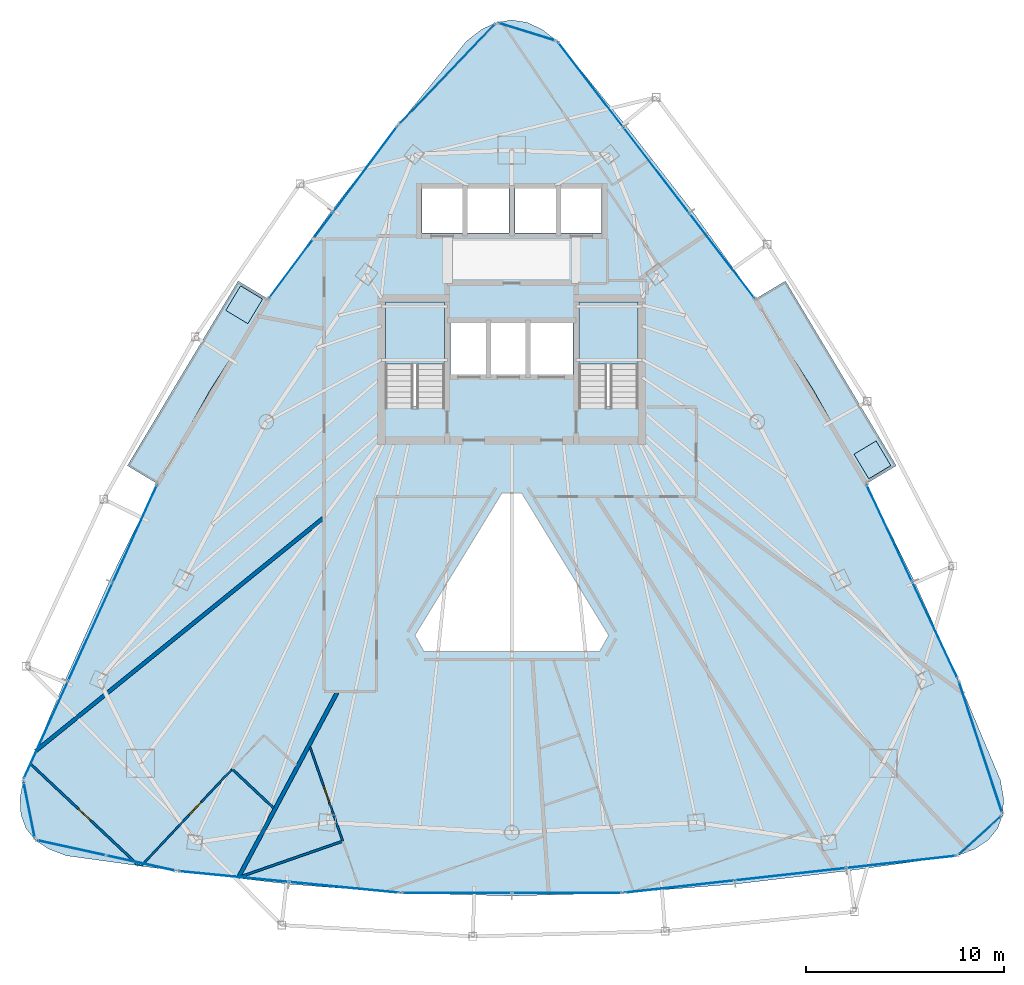
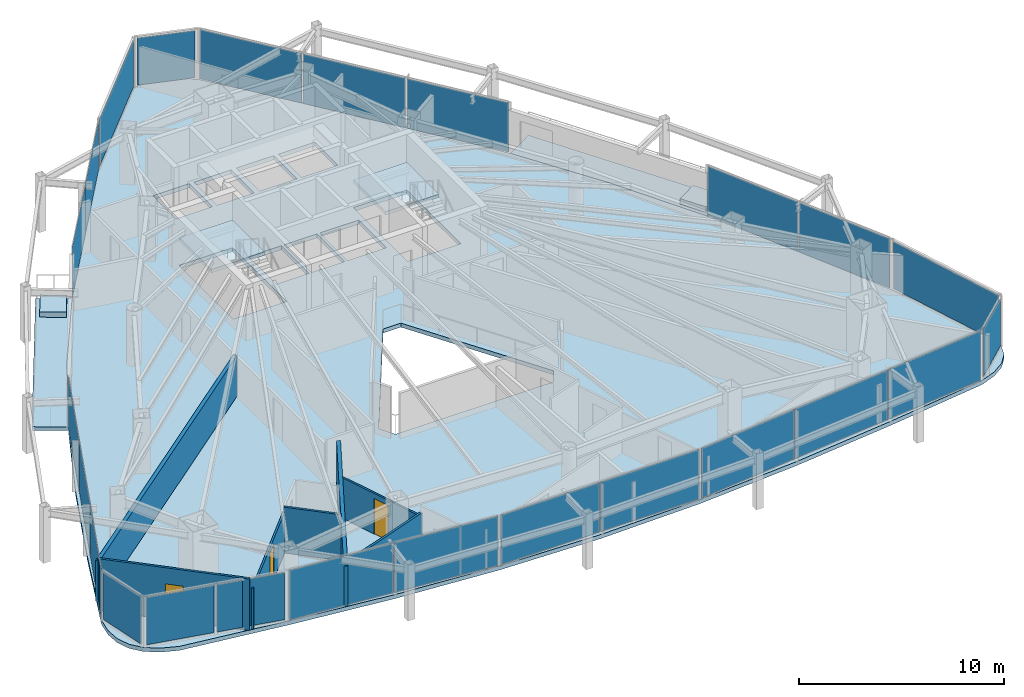
# One storey, part 23 of 29: 24 plates, 7 slabs, 7 walls, 3 doors, 3 openings, 15 elements without a shape of their own.
"""IFC4 building model written with IfcOpenShell, lengths in metres."""

from ifc_helpers import new_model, si_unit, direction, frame, frame_2d, origin, origin_2d, place, context, subcontext, project, spatial, polyline, rectangle, outline, extrude, material, layer, layer_set, type_object, element, fill, aggregate, save


model = new_model("IFC4")

# Units and contexts
model_context = context("Model", 3, precision=1e-05, world=origin(), true_north=direction((0.0, 1.0)))
body_context = subcontext(model_context, "Body", "Model", "MODEL_VIEW")
ifc_project = project(units=[si_unit("LENGTHUNIT", "METRE"), si_unit("AREAUNIT", "SQUARE_METRE"), si_unit("VOLUMEUNIT", "CUBIC_METRE"), si_unit("PLANEANGLEUNIT", "RADIAN"), si_unit("MASSUNIT", "GRAM", prefix="KILO")], contexts=[model_context])

# Site, building, storey
site_placement = place(None, origin())
site = spatial("IfcSite", under=ifc_project, at=site_placement, CompositionType="ELEMENT")
building_placement = place(site_placement, origin())
building = spatial("IfcBuilding", under=site, at=building_placement, Name="Orvanel Arch Residences", CompositionType="ELEMENT")
storey_placement = place(building_placement, frame((0.0, 0.0, 163.85009765625)))
storey = spatial("IfcBuildingStorey", under=building, at=storey_placement, Name="L46", CompositionType="ELEMENT", Elevation=163.85009765625)

# Curtain wall, plates
ifc_material_1 = material(Name="Bronze-anodised aluminium AA6063-T6", Category="aluminium")
ifc_layer_1 = layer(ifc_material_1, 0.179931640625)
ifc_layer_set_1 = layer_set([ifc_layer_1], Name="Bronze-anodised aluminium AA6063-T6")
curtain_wall_type_1 = type_object("IfcCurtainWallType", Name="CW3-MID-SYS", PredefinedType="NOTDEFINED", material=ifc_layer_set_1)
curtain_wall_1_placement = place(storey_placement, origin())
curtain_wall_1 = element("IfcCurtainWall", 1, at=curtain_wall_1_placement, inside=storey, type_object=curtain_wall_type_1, Name="L46 CW3-MID-SYS Unitised Curtain Wall", PredefinedType="NOTDEFINED")
ifc_material_2 = material(Name="Double-glazed solar-control low-E safety glass", Category="glass")
ifc_layer_2 = layer(ifc_material_2, 0.028076171875)
ifc_layer_set_2 = layer_set([ifc_layer_2], Name="Double-glazed solar-control low-E safety glass")
plate_type_1 = type_object("IfcPlateType", Name="PNL-GLZ-28", PredefinedType="CURTAIN_PANEL", material=ifc_layer_set_2)
plate_1_placement = place(storey_placement, frame((25.57177734375, 40.421875, 0.059814453125), z_axis=(0.0, 0.0, 1.0), x_axis=(-0.598064221794, -0.801448180864, 0.0)))
plate_1 = element("IfcPlate", 2, at=plate_1_placement, type_object=plate_type_1, Name="CW-S3 panel 1.1", PredefinedType="CURTAIN_PANEL", context=body_context, shape_type="SweptSolid", body=[
    extrude(rectangle(XDim=5.355224609375, YDim=0.028076171875, at=origin_2d()), origin(), (0.0, 0.0, 1.0), 2.93994140625),
])
plate_2_placement = place(storey_placement, frame((22.3271484375, 36.073974609375, 0.059814453125), z_axis=(0.0, 0.0, 1.0), x_axis=(-0.598064221794, -0.801448180864, 0.0)))
plate_2 = element("IfcPlate", 3, at=plate_2_placement, type_object=plate_type_1, Name="CW-S3 panel 2.1", PredefinedType="CURTAIN_PANEL", context=body_context, shape_type="SweptSolid", body=[
    extrude(rectangle(XDim=5.355224609375, YDim=0.028076171875, at=origin_2d()), origin(), (0.0, 0.0, 1.0), 2.93994140625),
])
aggregate(curtain_wall_1, [plate_1, plate_2])

curtain_wall_2_placement = place(storey_placement, origin())
curtain_wall_2 = element("IfcCurtainWall", 4, at=curtain_wall_2_placement, inside=storey, type_object=curtain_wall_type_1, Name="L46 CW3-MID-SYS Unitised Curtain Wall", PredefinedType="NOTDEFINED")
plate_3_placement = place(storey_placement, frame((13.917236328125, 21.977783203125, 0.059814453125), z_axis=(0.0, 0.0, 1.0), x_axis=(-0.412967925551, -0.910745569556, 0.0)))
plate_3 = element("IfcPlate", 5, at=plate_3_placement, type_object=plate_type_1, Name="CW-S3 panel 1.1", PredefinedType="CURTAIN_PANEL", context=body_context, shape_type="SweptSolid", body=[
    extrude(rectangle(XDim=5.3701171875, YDim=0.028076171875, at=origin_2d()), origin(), (0.0, 0.0, 1.0), 2.93994140625),
])
plate_4_placement = place(storey_placement, frame((11.66357421875, 17.007568359375, 0.059814453125), z_axis=(0.0, 0.0, 1.0), x_axis=(-0.412967925551, -0.910745569556, 0.0)))
plate_4 = element("IfcPlate", 6, at=plate_4_placement, type_object=plate_type_1, Name="CW-S3 panel 2.1", PredefinedType="CURTAIN_PANEL", context=body_context, shape_type="SweptSolid", body=[
    extrude(rectangle(XDim=5.405029296875, YDim=0.028076171875, at=origin_2d()), origin(), (0.0, 0.0, 1.0), 2.93994140625),
])
plate_5_placement = place(storey_placement, frame((9.40966796875, 12.037109375, 0.059814453125), z_axis=(0.0, 0.0, 1.0), x_axis=(-0.412967925551, -0.910745569556, 0.0)))
plate_5 = element("IfcPlate", 7, at=plate_5_placement, type_object=plate_type_1, Name="CW-S3 panel 3.1", PredefinedType="CURTAIN_PANEL", context=body_context, shape_type="SweptSolid", body=[
    extrude(rectangle(XDim=5.3701171875, YDim=0.028076171875, at=origin_2d()), origin(), (0.0, 0.0, 1.0), 2.93994140625),
])
aggregate(curtain_wall_2, [plate_3, plate_4, plate_5])

curtain_wall_3_placement = place(storey_placement, origin())
curtain_wall_3 = element("IfcCurtainWall", 8, at=curtain_wall_3_placement, inside=storey, type_object=curtain_wall_type_1, Name="L46 CW3-MID-SYS Unitised Curtain Wall", PredefinedType="NOTDEFINED")
plate_6_placement = place(storey_placement, frame((18.924072265625, 4.617431640625, 0.059814453125), z_axis=(0.0, 0.0, 1.0), x_axis=(0.995256463457, -0.097286031613, 0.0)))
plate_6 = element("IfcPlate", 9, at=plate_6_placement, type_object=plate_type_1, Name="CW-S3 panel 1.1", PredefinedType="CURTAIN_PANEL", context=body_context, shape_type="SweptSolid", body=[
    extrude(rectangle(XDim=5.543212890625, YDim=0.028076171875, at=origin_2d()), origin(), (0.0, 0.0, 1.0), 2.93994140625),
])
plate_7_placement = place(storey_placement, frame((24.5107421875, 4.071533203125, 0.059814453125), z_axis=(0.0, 0.0, 1.0), x_axis=(0.995256463457, -0.097286031613, 0.0)))
plate_7 = element("IfcPlate", 10, at=plate_7_placement, type_object=plate_type_1, Name="CW-S3 panel 2.1", PredefinedType="CURTAIN_PANEL", context=body_context, shape_type="SweptSolid", body=[
    extrude(rectangle(XDim=5.543212890625, YDim=0.028076171875, at=origin_2d()), origin(), (0.0, 0.0, 1.0), 2.93994140625),
])
aggregate(curtain_wall_3, [plate_6, plate_7])

curtain_wall_4_placement = place(storey_placement, origin())
curtain_wall_4 = element("IfcCurtainWall", 11, at=curtain_wall_4_placement, inside=storey, type_object=curtain_wall_type_1, Name="L46 CW3-MID-SYS Unitised Curtain Wall", PredefinedType="NOTDEFINED")
plate_8_placement = place(storey_placement, frame((30.20703125, 3.79296875, 0.059814453125), z_axis=(0.0, 0.0, 1.0), x_axis=(1.0, 0.0, 0.0)))
plate_8 = element("IfcPlate", 12, at=plate_8_placement, type_object=plate_type_1, Name="CW-S3 panel 1.1", PredefinedType="CURTAIN_PANEL", context=body_context, shape_type="SweptSolid", body=[
    extrude(rectangle(XDim=5.51611328125, YDim=0.028076171875, at=origin_2d()), origin(), (0.0, 0.0, 1.0), 2.93994140625),
])
plate_9_placement = place(storey_placement, frame((35.79296875, 3.79296875, 0.059814453125), z_axis=(0.0, 0.0, 1.0), x_axis=(1.0, 0.0, 0.0)))
plate_9 = element("IfcPlate", 13, at=plate_9_placement, type_object=plate_type_1, Name="CW-S3 panel 2.1", PredefinedType="CURTAIN_PANEL", context=body_context, shape_type="SweptSolid", body=[
    extrude(rectangle(XDim=5.51611328125, YDim=0.028076171875, at=origin_2d()), origin(), (0.0, 0.0, 1.0), 2.93994140625),
])
aggregate(curtain_wall_4, [plate_8, plate_9])

curtain_wall_5_placement = place(storey_placement, origin())
curtain_wall_5 = element("IfcCurtainWall", 14, at=curtain_wall_5_placement, inside=storey, type_object=curtain_wall_type_1, Name="L46 CW3-MID-SYS Unitised Curtain Wall", PredefinedType="NOTDEFINED")
plate_10_placement = place(storey_placement, frame((41.492431640625, 4.110107421875, 0.059814453125), z_axis=(0.0, 0.0, 1.0), x_axis=(0.993864337228, 0.11060596361, 0.0)))
plate_10 = element("IfcPlate", 15, at=plate_10_placement, type_object=plate_type_1, Name="CW-S3 panel 1.1", PredefinedType="CURTAIN_PANEL", context=body_context, shape_type="SweptSolid", body=[
    extrude(rectangle(XDim=5.557861328125, YDim=0.028076171875, at=origin_2d()), origin(), (0.0, 0.0, 1.0), 2.93994140625),
])
plate_11_placement = place(storey_placement, frame((47.10302734375, 4.734619140625, 0.059814453125), z_axis=(0.0, 0.0, 1.0), x_axis=(0.993864337228, 0.11060596361, 0.0)))
plate_11 = element("IfcPlate", 16, at=plate_11_placement, type_object=plate_type_1, Name="CW-S3 panel 2.1", PredefinedType="CURTAIN_PANEL", context=body_context, shape_type="SweptSolid", body=[
    extrude(rectangle(XDim=5.5927734375, YDim=0.028076171875, at=origin_2d()), origin(), (0.0, 0.0, 1.0), 2.93994140625),
])
plate_12_placement = place(storey_placement, frame((52.713623046875, 5.35888671875, 0.059814453125), z_axis=(0.0, 0.0, 1.0), x_axis=(0.993864337228, 0.11060596361, 0.0)))
plate_12 = element("IfcPlate", 17, at=plate_12_placement, type_object=plate_type_1, Name="CW-S3 panel 3.1", PredefinedType="CURTAIN_PANEL", context=body_context, shape_type="SweptSolid", body=[
    extrude(rectangle(XDim=5.557861328125, YDim=0.028076171875, at=origin_2d()), origin(), (0.0, 0.0, 1.0), 2.93994140625),
])
aggregate(curtain_wall_5, [plate_10, plate_11, plate_12])

curtain_wall_6_placement = place(storey_placement, origin())
curtain_wall_6 = element("IfcCurtainWall", 18, at=curtain_wall_6_placement, inside=storey, type_object=curtain_wall_type_1, Name="L46 CW3-MID-SYS Unitised Curtain Wall", PredefinedType="NOTDEFINED")
plate_13_placement = place(storey_placement, frame((54.423095703125, 17.09130859375, 0.059814453125), z_axis=(0.0, 0.0, 1.0), x_axis=(-0.42547064908, 0.904972224309, 0.0)))
plate_13 = element("IfcPlate", 19, at=plate_13_placement, type_object=plate_type_1, Name="CW-S3 panel 1.1", PredefinedType="CURTAIN_PANEL", context=body_context, shape_type="SweptSolid", body=[
    extrude(rectangle(XDim=5.354736328125, YDim=0.028076171875, at=origin_2d()), origin(), (0.0, 0.0, 1.0), 2.93994140625),
])
plate_14_placement = place(storey_placement, frame((52.114990234375, 22.000732421875, 0.059814453125), z_axis=(0.0, 0.0, 1.0), x_axis=(-0.42547064908, 0.904972224309, 0.0)))
plate_14 = element("IfcPlate", 20, at=plate_14_placement, type_object=plate_type_1, Name="CW-S3 panel 2.1", PredefinedType="CURTAIN_PANEL", context=body_context, shape_type="SweptSolid", body=[
    extrude(rectangle(XDim=5.354736328125, YDim=0.028076171875, at=origin_2d()), origin(), (0.0, 0.0, 1.0), 2.93994140625),
])
aggregate(curtain_wall_6, [plate_13, plate_14])

curtain_wall_7_placement = place(storey_placement, origin())
curtain_wall_7 = element("IfcCurtainWall", 21, at=curtain_wall_7_placement, inside=storey, type_object=curtain_wall_type_1, Name="L46 CW3-MID-SYS Unitised Curtain Wall", PredefinedType="NOTDEFINED")
plate_15_placement = place(storey_placement, frame((43.637939453125, 36.056884765625, 0.059814453125), z_axis=(0.0, 0.0, 1.0), x_axis=(-0.609098555317, 0.793094540336, 0.0)))
plate_15 = element("IfcPlate", 22, at=plate_15_placement, type_object=plate_type_1, Name="CW-S3 panel 1.1", PredefinedType="CURTAIN_PANEL", context=body_context, shape_type="SweptSolid", body=[
    extrude(rectangle(XDim=5.369873046875, YDim=0.028076171875, at=origin_2d()), origin(), (0.0, 0.0, 1.0), 2.93994140625),
])
plate_16_placement = place(storey_placement, frame((40.31396484375, 40.385009765625, 0.059814453125), z_axis=(0.0, 0.0, 1.0), x_axis=(-0.609098555317, 0.793094540336, 0.0)))
plate_16 = element("IfcPlate", 23, at=plate_16_placement, type_object=plate_type_1, Name="CW-S3 panel 2.1", PredefinedType="CURTAIN_PANEL", context=body_context, shape_type="SweptSolid", body=[
    extrude(rectangle(XDim=5.40478515625, YDim=0.028076171875, at=origin_2d()), origin(), (0.0, 0.0, 1.0), 2.93994140625),
])
plate_17_placement = place(storey_placement, frame((36.989990234375, 44.713134765625, 0.059814453125), z_axis=(0.0, 0.0, 1.0), x_axis=(-0.609098555317, 0.793094540336, 0.0)))
plate_17 = element("IfcPlate", 24, at=plate_17_placement, type_object=plate_type_1, Name="CW-S3 panel 3.1", PredefinedType="CURTAIN_PANEL", context=body_context, shape_type="SweptSolid", body=[
    extrude(rectangle(XDim=5.369873046875, YDim=0.028076171875, at=origin_2d()), origin(), (0.0, 0.0, 1.0), 2.93994140625),
])
aggregate(curtain_wall_7, [plate_15, plate_16, plate_17])

# Curtain wall, plate
ifc_layer_3 = layer(ifc_material_1, 0.18994140625)
ifc_layer_set_3 = layer_set([ifc_layer_3], Name="Bronze-anodised aluminium AA6063-T6")
curtain_wall_type_2 = type_object("IfcCurtainWallType", Name="CW5-CRN-SYS", PredefinedType="NOTDEFINED", material=ifc_layer_set_3)
curtain_wall_8_placement = place(storey_placement, origin())
curtain_wall_8 = element("IfcCurtainWall", 25, at=curtain_wall_8_placement, inside=storey, type_object=curtain_wall_type_2, Name="L46 CW5-CRN-SYS Unitised Curtain Wall", PredefinedType="NOTDEFINED")
ifc_layer_4 = layer(ifc_material_2, 0.031982421875)
ifc_layer_set_4 = layer_set([ifc_layer_4], Name="Double-glazed solar-control low-E safety glass")
plate_type_2 = type_object("IfcPlateType", Name="PNL-GLZ-32", PredefinedType="CURTAIN_PANEL", material=ifc_layer_set_4)
plate_18_placement = place(storey_placement, frame((33.7666015625, 47.39111328125, 0.1298828125), z_axis=(0.0, 0.0, 1.0), x_axis=(-0.954888565426, 0.296964354122, 0.0)))
plate_18 = element("IfcPlate", 26, at=plate_18_placement, type_object=plate_type_2, Name="CW-S5 panel 1.1", PredefinedType="CURTAIN_PANEL", context=body_context, shape_type="SweptSolid", body=[
    extrude(rectangle(XDim=2.8720703125, YDim=0.031982421875, at=origin_2d()), origin(), (0.0, 0.0, 1.0), 2.800048828125),
])
aggregate(curtain_wall_8, [plate_18])

curtain_wall_9_placement = place(storey_placement, origin())
curtain_wall_9 = element("IfcCurtainWall", 27, at=curtain_wall_9_placement, inside=storey, type_object=curtain_wall_type_2, Name="L46 CW5-CRN-SYS Unitised Curtain Wall", PredefinedType="NOTDEFINED")
plate_19_placement = place(storey_placement, frame((29.72998046875, 45.25390625, 0.1298828125), z_axis=(0.0, 0.0, 1.0), x_axis=(-0.69151906787, -0.72235820669, 0.0)))
plate_19 = element("IfcPlate", 28, at=plate_19_placement, type_object=plate_type_2, Name="CW-S5 panel 1.1", PredefinedType="CURTAIN_PANEL", context=body_context, shape_type="SweptSolid", body=[
    extrude(rectangle(XDim=6.898681640625, YDim=0.031982421875, at=origin_2d()), origin(), (0.0, 0.0, 1.0), 2.800048828125),
])
aggregate(curtain_wall_9, [plate_19])

curtain_wall_10_placement = place(storey_placement, origin())
curtain_wall_10 = element("IfcCurtainWall", 29, at=curtain_wall_10_placement, inside=storey, type_object=curtain_wall_type_2, Name="L46 CW5-CRN-SYS Unitised Curtain Wall", PredefinedType="NOTDEFINED")
plate_20_placement = place(storey_placement, frame((8.56591796875, 7.993408203125, 0.1298828125), z_axis=(0.0, 0.0, 1.0), x_axis=(0.195296868429, -0.980744173157, 0.0)))
plate_20 = element("IfcPlate", 30, at=plate_20_placement, type_object=plate_type_2, Name="CW-S5 panel 1.1", PredefinedType="CURTAIN_PANEL", context=body_context, shape_type="SweptSolid", body=[
    extrude(rectangle(XDim=2.751708984375, YDim=0.031982421875, at=origin_2d()), origin(), (0.0, 0.0, 1.0), 2.800048828125),
])
aggregate(curtain_wall_10, [plate_20])

# Curtain wall, plates
curtain_wall_11_placement = place(storey_placement, origin())
curtain_wall_11 = element("IfcCurtainWall", 31, at=curtain_wall_11_placement, inside=storey, type_object=curtain_wall_type_2, Name="L46 CW5-CRN-SYS Unitised Curtain Wall", PredefinedType="NOTDEFINED")
plate_21_placement = place(storey_placement, frame((10.716552734375, 6.07177734375, 0.1298828125), z_axis=(0.0, 0.0, 1.0), x_axis=(0.976757565807, -0.214347049523, 0.0)))
plate_21 = element("IfcPlate", 32, at=plate_21_placement, type_object=plate_type_2, Name="CW-S5 panel 1.1", PredefinedType="CURTAIN_PANEL", context=body_context, shape_type="SweptSolid", body=[
    extrude(rectangle(XDim=3.4443359375, YDim=0.031982421875, at=origin_2d()), origin(), (0.0, 0.0, 1.0), 2.800048828125),
])
plate_22_placement = place(storey_placement, frame((14.227294921875, 5.30126953125, 0.1298828125), z_axis=(0.0, 0.0, 1.0), x_axis=(0.976757565807, -0.214347049523, 0.0)))
plate_22 = element("IfcPlate", 33, at=plate_22_placement, type_object=plate_type_2, Name="CW-S5 panel 2.1", PredefinedType="CURTAIN_PANEL", context=body_context, shape_type="SweptSolid", body=[
    extrude(rectangle(XDim=3.4443359375, YDim=0.031982421875, at=origin_2d()), origin(), (0.0, 0.0, 1.0), 2.800048828125),
])
aggregate(curtain_wall_11, [plate_21, plate_22])

# Curtain wall, plate
curtain_wall_12_placement = place(storey_placement, origin())
curtain_wall_12 = element("IfcCurtainWall", 34, at=curtain_wall_12_placement, inside=storey, type_object=curtain_wall_type_2, Name="L46 CW5-CRN-SYS Unitised Curtain Wall", PredefinedType="NOTDEFINED")
plate_23_placement = place(storey_placement, frame((56.7099609375, 6.715576171875, 0.1298828125), z_axis=(0.0, 0.0, 1.0), x_axis=(0.740191958853, 0.672395615727, 0.0)))
plate_23 = element("IfcPlate", 35, at=plate_23_placement, type_object=plate_type_2, Name="CW-S5 panel 1.1", PredefinedType="CURTAIN_PANEL", context=body_context, shape_type="SweptSolid", body=[
    extrude(rectangle(XDim=2.753173828125, YDim=0.031982421875, at=origin_2d()), origin(), (0.0, 0.0, 1.0), 2.800048828125),
])
aggregate(curtain_wall_12, [plate_23])

curtain_wall_13_placement = place(storey_placement, origin())
curtain_wall_13 = element("IfcCurtainWall", 36, at=curtain_wall_13_placement, inside=storey, type_object=curtain_wall_type_2, Name="L46 CW5-CRN-SYS Unitised Curtain Wall", PredefinedType="NOTDEFINED")
plate_24_placement = place(storey_placement, frame((56.72802734375, 11.1708984375, 0.1298828125), z_axis=(0.0, 0.0, 1.0), x_axis=(-0.313374933239, 0.949629481018, 0.0)))
plate_24 = element("IfcPlate", 37, at=plate_24_placement, type_object=plate_type_2, Name="CW-S5 panel 1.1", PredefinedType="CURTAIN_PANEL", context=body_context, shape_type="SweptSolid", body=[
    extrude(rectangle(XDim=6.854248046875, YDim=0.031982421875, at=origin_2d()), origin(), (0.0, 0.0, 1.0), 2.800048828125),
])
aggregate(curtain_wall_13, [plate_24])

# Slabs
ifc_material_3 = material(Name="Concrete N40 (40 MPa)", Category="concrete")
ifc_layer_5 = layer(ifc_material_3, 0.215087890625)
ifc_layer_set_5 = layer_set([ifc_layer_5], Name="Concrete N40 (40 MPa)")
slab_type_1 = type_object("IfcSlabType", Name="SLB-BAL-215", PredefinedType="FLOOR", material=ifc_layer_set_5)
slab_1_placement = place(storey_placement, frame((0.0, 0.0, -0.215087890625)))
element("IfcSlab", 38, at=slab_1_placement, inside=storey, type_object=slab_type_1, Name="L46 Cantilevered Balcony Slab Face 3", PredefinedType="FLOOR", context=body_context, shape_type="SweptSolid", body=[
    extrude(outline(polyline([(52.464111328125, 25.4208984375), (46.85498046875, 34.77197265625), (45.327880859375, 33.85595703125), (48.26611328125, 29.260009765625), (50.93701171875, 24.5048828125), (52.464111328125, 25.4208984375)])), origin(), (0.0, 0.0, 1.0), 0.215087890625),
])
slab_2_placement = place(storey_placement, frame((0.0, 0.0, -0.215087890625)))
element("IfcSlab", 39, at=slab_2_placement, inside=storey, type_object=slab_type_1, Name="L46 Cantilevered Balcony Slab Face 1", PredefinedType="FLOOR", context=body_context, shape_type="SweptSolid", body=[
    extrude(outline(polyline([(19.14501953125, 34.77197265625), (13.535888671875, 25.4208984375), (15.06298828125, 24.5048828125), (17.73388671875, 29.260009765625), (20.672119140625, 33.85595703125), (19.14501953125, 34.77197265625)])), origin(), (0.0, 0.0, 1.0), 0.215087890625),
])

# Stair, slab
ifc_material_4 = material(Name="Precast concrete N50 (50 MPa)", Category="concrete")
stair_type = type_object("IfcStairType", Name="STR-DOG-184", PredefinedType="USERDEFINED", material=ifc_material_4)
stair_1_placement = place(storey_placement, origin())
stair_1 = element("IfcStair", 40, at=stair_1_placement, inside=storey, type_object=stair_type, Name="L46 Fire-Isolated Core Exit Stair 1", ObjectType="TWO_RETURN_STAIR", PredefinedType="USERDEFINED")
ifc_layer_6 = layer(ifc_material_3, 0.199951171875)
ifc_layer_set_6 = layer_set([ifc_layer_6], Name="Concrete N40 (40 MPa)")
slab_type_2 = type_object("IfcSlabType", Name="SLB-LND-200", PredefinedType="LANDING", material=ifc_layer_set_6)
slab_3_placement = place(storey_placement, frame((0.0, 0.0, 1.449951171875)))
slab_3 = element("IfcSlab", 41, at=slab_3_placement, type_object=slab_type_2, Name="ST-1 landing 1", PredefinedType="LANDING", context=body_context, shape_type="SweptSolid", body=[
    extrude(outline(polyline([(29.60009765625, 30.56005859375), (29.60009765625, 33.699951171875), (26.60009765625, 33.699951171875), (26.60009765625, 30.56005859375), (29.60009765625, 30.56005859375)])), origin(), (0.0, 0.0, 1.0), 0.199951171875),
])
aggregate(stair_1, [slab_3])

stair_2_placement = place(storey_placement, origin())
stair_2 = element("IfcStair", 42, at=stair_2_placement, inside=storey, type_object=stair_type, Name="L46 Fire-Isolated Core Exit Stair 2", ObjectType="TWO_RETURN_STAIR", PredefinedType="USERDEFINED")
slab_4_placement = place(storey_placement, frame((0.0, 0.0, 1.449951171875)))
slab_4 = element("IfcSlab", 43, at=slab_4_placement, type_object=slab_type_2, Name="ST-2 landing 1", PredefinedType="LANDING", context=body_context, shape_type="SweptSolid", body=[
    extrude(outline(polyline([(39.39990234375, 30.56005859375), (39.39990234375, 33.699951171875), (36.39990234375, 33.699951171875), (36.39990234375, 30.56005859375), (39.39990234375, 30.56005859375)])), origin(), (0.0, 0.0, 1.0), 0.199951171875),
])
aggregate(stair_2, [slab_4])

# Slabs
ifc_material_5 = material(Name="Structural architectural precast concrete N40 (40 MPa) planter", Category="concrete")
ifc_layer_7 = layer(ifc_material_5, 0.320068359375)
ifc_layer_set_7 = layer_set([ifc_layer_7], Name="Structural architectural precast concrete N40 (40 MPa) planter")
slab_type_3 = type_object("IfcSlabType", Name="SLB-PLN-320", PredefinedType="USERDEFINED", material=ifc_layer_set_7)
slab_5_placement = place(storey_placement, origin())
element("IfcSlab", 44, at=slab_5_placement, inside=storey, type_object=slab_type_3, Name="L46 Balcony TREE PLANTER Face 3", ObjectType="PLANTER", PredefinedType="USERDEFINED", context=body_context, shape_type="SweptSolid", body=[
    extrude(outline(polyline([(52.18896484375, 25.430908203125), (51.444091796875, 26.675048828125), (50.3291015625, 26.006103515625), (51.074951171875, 24.761962890625), (52.18896484375, 25.430908203125)])), origin(), (0.0, 0.0, 1.0), 0.31982421875),
])
slab_6_placement = place(storey_placement, origin())
element("IfcSlab", 45, at=slab_6_placement, inside=storey, type_object=slab_type_3, Name="L46 Balcony TREE PLANTER Face 1", ObjectType="PLANTER", PredefinedType="USERDEFINED", context=body_context, shape_type="SweptSolid", body=[
    extrude(outline(polyline([(19.264892578125, 34.52490234375), (18.51904296875, 33.281005859375), (19.634033203125, 32.613037109375), (20.3798828125, 33.85595703125), (19.264892578125, 34.52490234375)])), origin(), (0.0, 0.0, 1.0), 0.31982421875),
])
ifc_layer_8 = layer(ifc_material_3, 0.239990234375)
ifc_layer_set_8 = layer_set([ifc_layer_8], Name="Concrete N40 (40 MPa)")
slab_type_4 = type_object("IfcSlabType", Name="SLB-TYP-240", PredefinedType="FLOOR", material=ifc_layer_set_8)
slab_7_placement = place(storey_placement, frame((0.0, 0.0, -0.239990234375)))
element("IfcSlab", 46, at=slab_7_placement, inside=storey, type_object=slab_type_4, Name="L46 Tower Floor Slab", PredefinedType="FLOOR", context=body_context, shape_type="SweptSolid", body=[
    extrude(outline(polyline([(35.300048828125, 46.9140625), (34.532958984375, 47.510009765625), (33.76708984375, 47.867919921875), (33.0, 47.988037109375), (32.23291015625, 47.867919921875), (31.467041015625, 47.510009765625), (30.699951171875, 46.9140625), (27.22705078125, 42.639892578125), (23.85498046875, 38.303955078125), (20.672119140625, 33.85595703125), (17.73388671875, 29.260009765625), (15.06298828125, 24.5048828125), (12.636962890625, 19.60205078125), (10.39892578125, 14.5869140625), (8.263916015625, 9.510009765625), (8.09912109375, 8.572998046875), (8.14501953125, 7.7548828125), (8.40087890625, 7.055908203125), (8.867919921875, 6.47705078125), (9.5458984375, 6.01708984375), (10.43505859375, 5.676025390625), (16.075927734375, 4.89599609375), (21.717041015625, 4.235107421875), (27.35888671875, 3.79296875), (33.0, 3.637939453125), (38.64111328125, 3.79296875), (44.282958984375, 4.235107421875), (49.924072265625, 4.89599609375), (55.56494140625, 5.676025390625), (56.4541015625, 6.01708984375), (57.132080078125, 6.47705078125), (57.59912109375, 7.055908203125), (57.85498046875, 7.7548828125), (57.90087890625, 8.572998046875), (57.736083984375, 9.510009765625), (55.60107421875, 14.5869140625), (53.363037109375, 19.60205078125), (50.93701171875, 24.5048828125), (48.26611328125, 29.260009765625), (45.327880859375, 33.85595703125), (42.14501953125, 38.303955078125), (38.77294921875, 42.639892578125), (35.300048828125, 46.9140625)]), holes=[polyline([(26.60009765625, 28.429931640625), (26.60009765625, 33.699951171875), (29.60009765625, 33.699951171875), (29.60009765625, 28.429931640625), (26.60009765625, 28.429931640625)]), polyline([(36.39990234375, 28.429931640625), (36.39990234375, 33.699951171875), (39.39990234375, 33.699951171875), (39.39990234375, 28.429931640625), (36.39990234375, 28.429931640625)]), polyline([(29.89990234375, 32.64990234375), (31.75, 32.64990234375), (31.75, 29.949951171875), (29.89990234375, 29.949951171875), (29.89990234375, 32.64990234375)]), polyline([(31.89990234375, 32.64990234375), (33.75, 32.64990234375), (33.75, 29.949951171875), (31.89990234375, 29.949951171875), (31.89990234375, 32.64990234375)]), polyline([(33.89990234375, 32.64990234375), (36.10009765625, 32.64990234375), (36.10009765625, 29.949951171875), (33.89990234375, 29.949951171875), (33.89990234375, 32.64990234375)]), polyline([(28.449951171875, 39.449951171875), (30.5, 39.449951171875), (30.5, 37.199951171875), (28.449951171875, 37.199951171875), (28.449951171875, 39.449951171875)]), polyline([(35.5, 39.449951171875), (37.550048828125, 39.449951171875), (37.550048828125, 37.199951171875), (35.5, 37.199951171875), (35.5, 39.449951171875)]), polyline([(30.75, 39.449951171875), (32.85009765625, 39.449951171875), (32.85009765625, 37.199951171875), (30.75, 37.199951171875), (30.75, 39.449951171875)]), polyline([(33.14990234375, 39.449951171875), (35.25, 39.449951171875), (35.25, 37.199951171875), (33.14990234375, 37.199951171875), (33.14990234375, 39.449951171875)]), polyline([(37.909912109375, 16.8310546875), (37.452880859375, 16.01708984375), (28.547119140625, 16.01708984375), (28.090087890625, 16.8310546875), (32.501953125, 24.049072265625), (33.498046875, 24.049072265625), (37.909912109375, 16.8310546875)])]), origin(), (0.0, 0.0, 1.0), 0.239990234375),
])

# Walls
ifc_material_6 = material(Name="Fire-rated plasterboard lined steel stud partition", Category="steel")
ifc_layer_9 = layer(ifc_material_6, 0.199951171875)
ifc_layer_set_9 = layer_set([ifc_layer_9], Name="Fire-rated plasterboard lined steel stud partition")
wall_type_1 = type_object("IfcWallType", Name="W-DEM-200", PredefinedType="PARTITIONING", material=ifc_layer_set_9)
wall_1_placement = place(storey_placement, frame((19.14501953125, 4.550048828125, 0.0), z_axis=(0.0, 0.0, 1.0), x_axis=(0.470953669838, 0.882157945533, 0.0)))
element("IfcWall", 47, at=wall_1_placement, inside=storey, type_object=wall_type_1, Name="L46 Inter-Tenancy Acoustic Demising Wall", PredefinedType="PARTITIONING", context=body_context, shape_type="SweptSolid", body=[
    extrude(rectangle(XDim=10.644287109375, YDim=0.199951171875, at=frame_2d((5.322265625, 0.0))), origin(), (0.0, 0.0, 1.0), 2.412841796875),
])
wall_2_placement = place(storey_placement, frame((8.886962890625, 10.972900390625, 0.0), z_axis=(0.0, 0.0, 1.0), x_axis=(0.777135864284, 0.629332859815, 0.0)))
element("IfcWall", 48, at=wall_2_placement, inside=storey, type_object=wall_type_1, Name="L46 Inter-Tenancy Acoustic Demising Wall", PredefinedType="PARTITIONING", context=body_context, shape_type="SweptSolid", body=[
    extrude(rectangle(XDim=18.726318359375, YDim=0.199951171875, at=frame_2d((9.36328125, 0.0))), origin(), (0.0, 0.0, 1.0), 2.412841796875),
])

# Wall, opening, door
ifc_material_7 = material(Name="Acoustic plasterboard lined twin-stud partition", Category="gypsum")
ifc_layer_10 = layer(ifc_material_7, 0.10009765625)
ifc_layer_set_10 = layer_set([ifc_layer_10], Name="Acoustic plasterboard lined twin-stud partition")
wall_type_2 = type_object("IfcWallType", Name="W-INT-100", PredefinedType="PARTITIONING", material=ifc_layer_set_10)
wall_3_placement = place(storey_placement, frame((24.44189453125, 6.410888671875, 0.0), z_axis=(0.0, 0.0, 1.0), x_axis=(-0.328597479572, 0.944470061155, 0.0)))
wall_3 = element("IfcWall", 49, at=wall_3_placement, inside=storey, type_object=wall_type_2, Name="L46 Studio B Internal Partition", PredefinedType="PARTITIONING", context=body_context, shape_type="SweptSolid", body=[
    extrude(rectangle(XDim=5.051513671875, YDim=0.10009765625, at=frame_2d((2.52587890625, 0.0))), origin(), (0.0, 0.0, 1.0), 2.412841796875),
])
opening_1_placement = place(wall_3_placement, frame((2.0859375, 0.0, 0.0)))
opening_1 = element("IfcOpeningElement", 50, at=opening_1_placement, cuts=wall_3, Name="Opening DI-088", PredefinedType="OPENING", context=body_context, shape_type="SweptSolid", body=[
    extrude(rectangle(XDim=0.8798828125, YDim=2.10009765625, at=frame_2d((0.43994140625, 1.050048828125))), frame((0.0, 0.06005859375, 0.0), z_axis=(0.0, -1.0, 0.0), x_axis=(1.0, 0.0, 0.0)), (0.0, 0.0, 1.0), 0.1201171875),
])
ifc_material_8 = material(Name="Solid-core European oak veneer fire door leaf", Category="wood")
door_type = type_object("IfcDoorType", Name="DR-INT-880", OperationType="NOTDEFINED", PredefinedType="DOOR", material=ifc_material_8)
door_1_placement = place(opening_1_placement, origin())
door_1 = element("IfcDoor", 51, at=door_1_placement, inside=storey, type_object=door_type, Name="DR-L46-B-CAR1 L46 Studio B Allied Health Consulting Room 2 Door", OperationType="SINGLE_SWING_LEFT", OverallHeight=2.10009765625, OverallWidth=0.8798828125, PredefinedType="DOOR", context=body_context, shape_type="SweptSolid", body=[
    extrude(rectangle(XDim=0.8798828125, YDim=2.10009765625, at=frame_2d((0.43994140625, 1.050048828125))), frame((0.0, 0.02490234375, 0.0), z_axis=(0.0, -1.0, 0.0), x_axis=(1.0, 0.0, 0.0)), (0.0, 0.0, 1.0), 0.050048828125),
])
fill(opening_1, door_1)

wall_4_placement = place(storey_placement, frame((18.843017578125, 10.06005859375, 0.0), z_axis=(0.0, 0.0, 1.0), x_axis=(-0.6848274704, -0.728705246163, 0.0)))
wall_4 = element("IfcWall", 52, at=wall_4_placement, inside=storey, type_object=wall_type_2, Name="L46 Flat C Internal Partition", PredefinedType="PARTITIONING", context=body_context, shape_type="SweptSolid", body=[
    extrude(rectangle(XDim=6.721435546875, YDim=0.10009765625, at=frame_2d((3.36083984375, 0.0))), origin(), (0.0, 0.0, 1.0), 2.412841796875),
])
opening_2_placement = place(wall_4_placement, frame((2.282958984375, 0.0, 0.0)))
opening_2 = element("IfcOpeningElement", 53, at=opening_2_placement, cuts=wall_4, Name="Opening DI-088", PredefinedType="OPENING", context=body_context, shape_type="SweptSolid", body=[
    extrude(rectangle(XDim=0.8798828125, YDim=2.10009765625, at=frame_2d((0.43994140625, 1.050048828125))), frame((0.0, 0.06005859375, 0.0), z_axis=(0.0, -1.0, 0.0), x_axis=(1.0, 0.0, 0.0)), (0.0, 0.0, 1.0), 0.1201171875),
])
door_2_placement = place(opening_2_placement, origin())
door_2 = element("IfcDoor", 54, at=door_2_placement, inside=storey, type_object=door_type, Name="DR-L46-C-BED1 L46 Flat C Bedroom 1 Door", OperationType="SINGLE_SWING_LEFT", OverallHeight=2.10009765625, OverallWidth=0.8798828125, PredefinedType="DOOR", context=body_context, shape_type="SweptSolid", body=[
    extrude(rectangle(XDim=0.8798828125, YDim=2.10009765625, at=frame_2d((0.43994140625, 1.050048828125))), frame((0.0, 0.02490234375, 0.0), z_axis=(0.0, -1.0, 0.0), x_axis=(1.0, 0.0, 0.0)), (0.0, 0.0, 1.0), 0.050048828125),
])
fill(opening_2, door_2)

# Wall
ifc_layer_11 = layer(ifc_material_7, 0.1201171875)
ifc_layer_set_11 = layer_set([ifc_layer_11], Name="Acoustic plasterboard lined twin-stud partition")
wall_type_3 = type_object("IfcWallType", Name="W-WET-120", PredefinedType="PARTITIONING", material=ifc_layer_set_11)
wall_5_placement = place(storey_placement, frame((19.27587890625, 4.614013671875, 0.0), z_axis=(0.0, 0.0, 1.0), x_axis=(0.944496796706, 0.328520624941, 0.0)))
element("IfcWall", 55, at=wall_5_placement, inside=storey, type_object=wall_type_3, Name="L46 Studio B Internal Partition", PredefinedType="PARTITIONING", context=body_context, shape_type="SweptSolid", body=[
    extrude(rectangle(XDim=5.469482421875, YDim=0.1201171875, at=frame_2d((2.73486328125, 0.0))), origin(), (0.0, 0.0, 1.0), 2.618896484375),
])

# Wall, opening, door
wall_6_placement = place(storey_placement, frame((14.10791015625, 5.177001953125, 0.0), z_axis=(0.0, 0.0, 1.0), x_axis=(-0.728745526687, 0.684784606525, 0.0)))
wall_6 = element("IfcWall", 56, at=wall_6_placement, inside=storey, type_object=wall_type_3, Name="L46 Flat C Internal Partition", PredefinedType="PARTITIONING", context=body_context, shape_type="SweptSolid", body=[
    extrude(rectangle(XDim=7.525146484375, YDim=0.1201171875, at=frame_2d((3.7626953125, 0.0))), origin(), (0.0, 0.0, 1.0), 3.059814453125),
])
opening_3_placement = place(wall_6_placement, frame((3.322998046875, 0.0, 0.0)))
opening_3 = element("IfcOpeningElement", 57, at=opening_3_placement, cuts=wall_6, Name="Opening DI-088", PredefinedType="OPENING", context=body_context, shape_type="SweptSolid", body=[
    extrude(rectangle(XDim=0.8798828125, YDim=2.10009765625, at=frame_2d((0.43994140625, 1.050048828125))), frame((0.0, 0.070068359375, 0.0), z_axis=(0.0, -1.0, 0.0), x_axis=(1.0, 0.0, 0.0)), (0.0, 0.0, 1.0), 0.14013671875),
])
door_3_placement = place(opening_3_placement, origin())
door_3 = element("IfcDoor", 58, at=door_3_placement, inside=storey, type_object=door_type, Name="DR-L46-C-KIT L46 Flat C Kitchen Door", OperationType="SINGLE_SWING_LEFT", OverallHeight=2.10009765625, OverallWidth=0.8798828125, PredefinedType="DOOR", context=body_context, shape_type="SweptSolid", body=[
    extrude(rectangle(XDim=0.8798828125, YDim=2.10009765625, at=frame_2d((0.43994140625, 1.050048828125))), frame((0.0, 0.02490234375, 0.0), z_axis=(0.0, -1.0, 0.0), x_axis=(1.0, 0.0, 0.0)), (0.0, 0.0, 1.0), 0.050048828125),
])
fill(opening_3, door_3)

# Wall
wall_7_placement = place(storey_placement, frame((20.93896484375, 8.090087890625, 0.0), z_axis=(0.0, 0.0, 1.0), x_axis=(-0.728665789254, 0.68486945294, 0.0)))
element("IfcWall", 59, at=wall_7_placement, inside=storey, type_object=wall_type_3, Name="L46 Flat C Bathroom Partition", PredefinedType="PARTITIONING", context=body_context, shape_type="SweptSolid", body=[
    extrude(rectangle(XDim=2.87646484375, YDim=0.1201171875, at=frame_2d((1.438232421875, 0.0))), origin(), (0.0, 0.0, 1.0), 2.720947265625),
])

save(model, "model.ifc")
